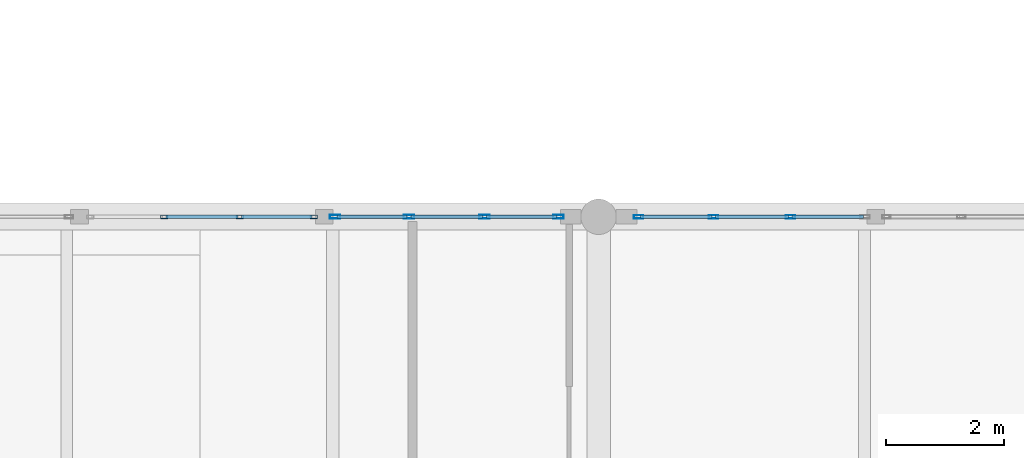
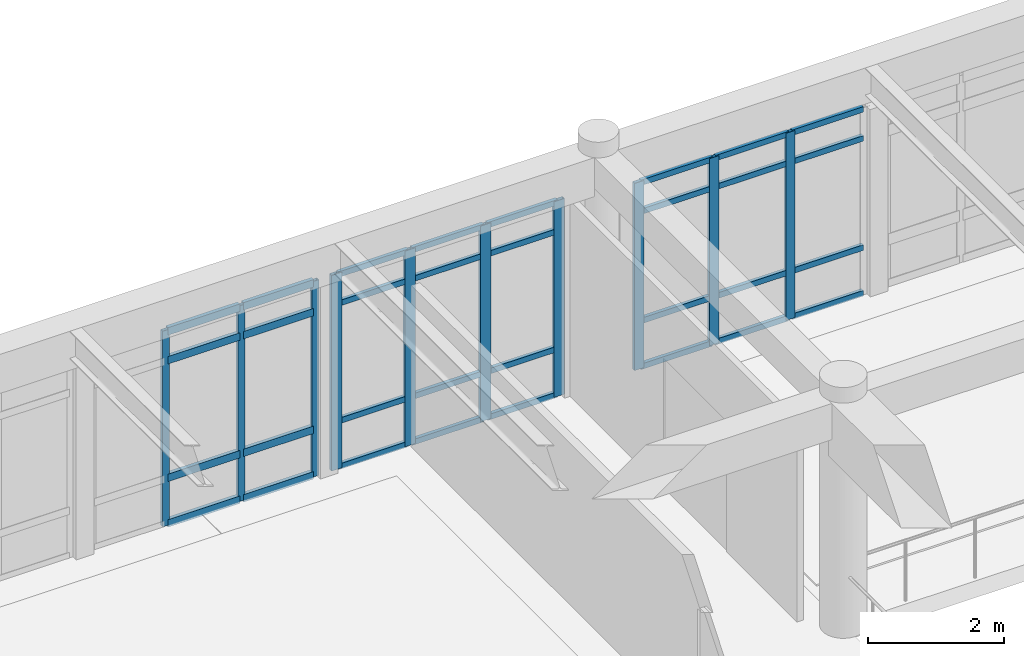
# One storey, part 18 of 109: 42 members, 3 elements without a shape of their own.
"""IFC4 building model written with IfcOpenShell, lengths in metres."""

from ifc_helpers import new_model, si_unit, direction, frame, origin, origin_2d, place, context, subcontext, project, spatial, hollow_rectangle, extrude, material, layer, layer_set, material_profile, profile_set, type_object, element, aggregate, save


model = new_model("IFC4")

# Units and contexts
model_context = context("Model", 3, precision=1e-05, world=origin(), true_north=direction((0.0, 1.0)))
body_context = subcontext(model_context, "Body", "Model", "MODEL_VIEW")
ifc_project = project(units=[si_unit("LENGTHUNIT", "METRE"), si_unit("AREAUNIT", "SQUARE_METRE"), si_unit("VOLUMEUNIT", "CUBIC_METRE"), si_unit("PLANEANGLEUNIT", "RADIAN"), si_unit("MASSUNIT", "GRAM", prefix="KILO")], contexts=[model_context])

# Site, building, storey
site_placement = place(None, origin())
site = spatial("IfcSite", under=ifc_project, at=site_placement, CompositionType="ELEMENT")
building_placement = place(site_placement, origin())
building = spatial("IfcBuilding", under=site, at=building_placement, Name="Fikremerkos Civic Library", CompositionType="ELEMENT")
storey_placement = place(building_placement, frame((0.0, 0.0, 5.39990234375)))
storey = spatial("IfcBuildingStorey", under=building, at=storey_placement, Name="L01", CompositionType="ELEMENT", Elevation=5.39990234375)

# Curtain wall, members
ifc_material = material(Name="Anodized aluminium Frame", Category="aluminium")
ifc_layer_1 = layer(ifc_material, 0.159912109375, Name="Anodized aluminium Frame")
ifc_layer_set_1 = layer_set([ifc_layer_1], Name="Anodized aluminium Frame")
curtain_wall_type_1 = type_object("IfcCurtainWallType", Name="Unitised curtain wall CW-13 3700x3200", PredefinedType="USERDEFINED", material=ifc_layer_set_1)
curtain_wall_1_placement = place(storey_placement, origin())
curtain_wall_1 = element("IfcCurtainWall", 1, at=curtain_wall_1_placement, inside=storey, type_object=curtain_wall_type_1, Name="Unitised curtain wall CW-13 L01 #85", ObjectType="UNITISED CURTAIN WALL", PredefinedType="USERDEFINED")
ifc_material_profile_1 = material_profile(ifc_material, hollow_rectangle(XDim=0.06494140625, YDim=0.179931640625, WallThickness=0.00439453125, at=origin_2d()), Name="ALU 180x65x4.5")
ifc_profile_set_1 = profile_set([ifc_material_profile_1], Name="Anodized aluminium Frame")
member_type_1 = type_object("IfcMemberType", Name="Curtain mullion CWM-01 ALU 180x65x4.5", PredefinedType="MULLION", material=ifc_profile_set_1)
member_1_placement = place(storey_placement, frame((55.241455078125, 48.0, 0.0), z_axis=(0.0, 0.0, 1.0), x_axis=(0.0, 1.0, 0.0)))
member_1 = element("IfcMember", 2, at=member_1_placement, type_object=member_type_1, Name="CW-13 mullion 1", PredefinedType="MULLION", context=body_context, shape_type="SweptSolid", body=[
    extrude(hollow_rectangle(XDim=0.06494140625, YDim=0.179931640625, WallThickness=0.00439453125, at=origin_2d()), origin(), (0.0, 0.0, 1.0), 3.510009765625),
])
member_2_placement = place(storey_placement, frame((56.489990234375, 48.0, 0.0), z_axis=(0.0, 0.0, 1.0), x_axis=(0.0, 1.0, 0.0)))
member_2 = element("IfcMember", 3, at=member_2_placement, type_object=member_type_1, Name="CW-13 mullion 2", PredefinedType="MULLION", context=body_context, shape_type="SweptSolid", body=[
    extrude(hollow_rectangle(XDim=0.06494140625, YDim=0.179931640625, WallThickness=0.00439453125, at=origin_2d()), origin(), (0.0, 0.0, 1.0), 3.510009765625),
])
member_3_placement = place(storey_placement, frame((57.77099609375, 48.0, 0.0), z_axis=(0.0, 0.0, 1.0), x_axis=(0.0, 1.0, 0.0)))
member_3 = element("IfcMember", 4, at=member_3_placement, type_object=member_type_1, Name="CW-13 mullion 3", PredefinedType="MULLION", context=body_context, shape_type="SweptSolid", body=[
    extrude(hollow_rectangle(XDim=0.06494140625, YDim=0.179931640625, WallThickness=0.00439453125, at=origin_2d()), origin(), (0.0, 0.0, 1.0), 3.510009765625),
])
member_4_placement = place(storey_placement, frame((59.01953125, 48.0, 0.0), z_axis=(0.0, 0.0, 1.0), x_axis=(0.0, 1.0, 0.0)))
member_4 = element("IfcMember", 5, at=member_4_placement, type_object=member_type_1, Name="CW-13 mullion 4", PredefinedType="MULLION", context=body_context, shape_type="SweptSolid", body=[
    extrude(hollow_rectangle(XDim=0.06494140625, YDim=0.179931640625, WallThickness=0.00439453125, at=origin_2d()), origin(), (0.0, 0.0, 1.0), 3.510009765625),
])

ifc_layer_2 = layer(ifc_material, 0.159912109375, Name="Anodized aluminium Frame")
ifc_layer_set_2 = layer_set([ifc_layer_2], Name="Anodized aluminium Frame")
curtain_wall_type_2 = type_object("IfcCurtainWallType", Name="Unitised curtain wall CW-14 4100x3200", PredefinedType="USERDEFINED", material=ifc_layer_set_2)
curtain_wall_2_placement = place(storey_placement, origin())
curtain_wall_2 = element("IfcCurtainWall", 6, at=curtain_wall_2_placement, inside=storey, type_object=curtain_wall_type_2, Name="Unitised curtain wall CW-14 L01 #86", ObjectType="UNITISED CURTAIN WALL", PredefinedType="USERDEFINED")
ifc_material_profile_2 = material_profile(ifc_material, hollow_rectangle(XDim=0.06005859375, YDim=0.159912109375, WallThickness=0.00390625, at=origin_2d()), Name="ALU 160x60x4")
ifc_profile_set_2 = profile_set([ifc_material_profile_2], Name="Anodized aluminium Frame")
member_type_2 = type_object("IfcMemberType", Name="Curtain mullion CWM-02 ALU 160x60x4", PredefinedType="MULLION", material=ifc_profile_set_2)
member_5_placement = place(storey_placement, frame((60.3779296875, 48.0, 0.0), z_axis=(0.0, 0.0, 1.0), x_axis=(0.0, 1.0, 0.0)))
member_5 = element("IfcMember", 7, at=member_5_placement, type_object=member_type_2, Name="CW-14 mullion 1", PredefinedType="MULLION", context=body_context, shape_type="SweptSolid", body=[
    extrude(hollow_rectangle(XDim=0.06005859375, YDim=0.159912109375, WallThickness=0.00390625, at=origin_2d()), origin(), (0.0, 0.0, 1.0), 3.360107421875),
])
member_6_placement = place(storey_placement, frame((61.645751953125, 48.0, 0.0), z_axis=(0.0, 0.0, 1.0), x_axis=(0.0, 1.0, 0.0)))
member_6 = element("IfcMember", 8, at=member_6_placement, type_object=member_type_2, Name="CW-14 mullion 2", PredefinedType="MULLION", context=body_context, shape_type="SweptSolid", body=[
    extrude(hollow_rectangle(XDim=0.06005859375, YDim=0.159912109375, WallThickness=0.00390625, at=origin_2d()), origin(), (0.0, 0.0, 1.0), 3.360107421875),
])
member_7_placement = place(storey_placement, frame((62.943359375, 48.0, 0.0), z_axis=(0.0, 0.0, 1.0), x_axis=(0.0, 1.0, 0.0)))
member_7 = element("IfcMember", 9, at=member_7_placement, type_object=member_type_2, Name="CW-14 mullion 3", PredefinedType="MULLION", context=body_context, shape_type="SweptSolid", body=[
    extrude(hollow_rectangle(XDim=0.06005859375, YDim=0.159912109375, WallThickness=0.00390625, at=origin_2d()), origin(), (0.0, 0.0, 1.0), 3.360107421875),
])

ifc_layer_3 = layer(ifc_material, 0.159912109375, Name="Anodized aluminium Frame")
ifc_layer_set_3 = layer_set([ifc_layer_3], Name="Anodized aluminium Frame")
curtain_wall_type_3 = type_object("IfcCurtainWallType", Name="Unitised curtain wall CW-12 4300x3400", PredefinedType="USERDEFINED", material=ifc_layer_set_3)
curtain_wall_3_placement = place(storey_placement, origin())
curtain_wall_3 = element("IfcCurtainWall", 10, at=curtain_wall_3_placement, inside=storey, type_object=curtain_wall_type_3, Name="Unitised curtain wall CW-12 L01 #84", ObjectType="UNITISED CURTAIN WALL", PredefinedType="USERDEFINED")
ifc_material_profile_3 = material_profile(ifc_material, hollow_rectangle(XDim=0.06005859375, YDim=0.1201171875, WallThickness=0.00390625, at=origin_2d()), Name="ALU 120x60x4")
ifc_profile_set_3 = profile_set([ifc_material_profile_3], Name="Anodized aluminium Frame")
member_type_3 = type_object("IfcMemberType", Name="Curtain mullion CWM-04 ALU 120x60x4", PredefinedType="MULLION", material=ifc_profile_set_3)
member_8_placement = place(storey_placement, frame((52.346923828125, 48.0, 0.0), z_axis=(0.0, 0.0, 1.0), x_axis=(0.0, 1.0, 0.0)))
member_8 = element("IfcMember", 11, at=member_8_placement, type_object=member_type_3, Name="CW-12 mullion 2", PredefinedType="MULLION", context=body_context, shape_type="SweptSolid", body=[
    extrude(hollow_rectangle(XDim=0.06005859375, YDim=0.1201171875, WallThickness=0.00390625, at=origin_2d()), origin(), (0.0, 0.0, 1.0), 3.510009765625),
])
member_9_placement = place(storey_placement, frame((53.6279296875, 48.0, 0.0), z_axis=(0.0, 0.0, 1.0), x_axis=(0.0, 1.0, 0.0)))
member_9 = element("IfcMember", 12, at=member_9_placement, type_object=member_type_3, Name="CW-12 mullion 3", PredefinedType="MULLION", context=body_context, shape_type="SweptSolid", body=[
    extrude(hollow_rectangle(XDim=0.06005859375, YDim=0.1201171875, WallThickness=0.00390625, at=origin_2d()), origin(), (0.0, 0.0, 1.0), 3.510009765625),
])
member_10_placement = place(storey_placement, frame((54.87890625, 48.0, 0.0), z_axis=(0.0, 0.0, 1.0), x_axis=(0.0, 1.0, 0.0)))
member_10 = element("IfcMember", 13, at=member_10_placement, type_object=member_type_3, Name="CW-12 mullion 4", PredefinedType="MULLION", context=body_context, shape_type="SweptSolid", body=[
    extrude(hollow_rectangle(XDim=0.06005859375, YDim=0.1201171875, WallThickness=0.00390625, at=origin_2d()), origin(), (0.0, 0.0, 1.0), 3.510009765625),
])
ifc_material_profile_4 = material_profile(ifc_material, hollow_rectangle(XDim=0.06494140625, YDim=0.135009765625, WallThickness=0.00439453125, at=origin_2d()), Name="ALU 135x65x4.5")
ifc_profile_set_4 = profile_set([ifc_material_profile_4], Name="Anodized aluminium Frame")
member_type_4 = type_object("IfcMemberType", Name="Curtain transom CWT-02 ALU 135x65x4.5", PredefinedType="USERDEFINED", material=ifc_profile_set_4)
member_11_placement = place(storey_placement, frame((52.376953125, 48.0, 0.03271484375), z_axis=(1.0, 0.0, 0.0), x_axis=(0.0, 1.0, 0.0)))
member_11 = element("IfcMember", 14, at=member_11_placement, type_object=member_type_4, Name="CW-12 transom 2.1", ObjectType="TRANSOM", PredefinedType="USERDEFINED", context=body_context, shape_type="SweptSolid", body=[
    extrude(hollow_rectangle(XDim=0.06494140625, YDim=0.135009765625, WallThickness=0.00439453125, at=origin_2d()), origin(), (0.0, 0.0, 1.0), 1.220947265625),
])
member_12_placement = place(storey_placement, frame((52.376953125, 48.0, 0.85009765625), z_axis=(1.0, 0.0, 0.0), x_axis=(0.0, 1.0, 0.0)))
member_12 = element("IfcMember", 15, at=member_12_placement, type_object=member_type_4, Name="CW-12 transom 2.2", ObjectType="TRANSOM", PredefinedType="USERDEFINED", context=body_context, shape_type="SweptSolid", body=[
    extrude(hollow_rectangle(XDim=0.06494140625, YDim=0.135009765625, WallThickness=0.00439453125, at=origin_2d()), origin(), (0.0, 0.0, 1.0), 1.220947265625),
])
member_13_placement = place(storey_placement, frame((52.376953125, 48.0, 2.960205078125), z_axis=(1.0, 0.0, 0.0), x_axis=(0.0, 1.0, 0.0)))
member_13 = element("IfcMember", 16, at=member_13_placement, type_object=member_type_4, Name="CW-12 transom 2.3", ObjectType="TRANSOM", PredefinedType="USERDEFINED", context=body_context, shape_type="SweptSolid", body=[
    extrude(hollow_rectangle(XDim=0.06494140625, YDim=0.135009765625, WallThickness=0.00439453125, at=origin_2d()), origin(), (0.0, 0.0, 1.0), 1.220947265625),
])
member_14_placement = place(storey_placement, frame((52.376953125, 48.0, 3.4775390625), z_axis=(1.0, 0.0, 0.0), x_axis=(0.0, 1.0, 0.0)))
member_14 = element("IfcMember", 17, at=member_14_placement, type_object=member_type_4, Name="CW-12 transom 2.4", ObjectType="TRANSOM", PredefinedType="USERDEFINED", context=body_context, shape_type="SweptSolid", body=[
    extrude(hollow_rectangle(XDim=0.06494140625, YDim=0.135009765625, WallThickness=0.00439453125, at=origin_2d()), origin(), (0.0, 0.0, 1.0), 1.220947265625),
])
member_15_placement = place(storey_placement, frame((53.657958984375, 48.0, 0.03271484375), z_axis=(1.0, 0.0, 0.0), x_axis=(0.0, 1.0, 0.0)))
member_15 = element("IfcMember", 18, at=member_15_placement, type_object=member_type_4, Name="CW-12 transom 3.1", ObjectType="TRANSOM", PredefinedType="USERDEFINED", context=body_context, shape_type="SweptSolid", body=[
    extrude(hollow_rectangle(XDim=0.06494140625, YDim=0.135009765625, WallThickness=0.00439453125, at=origin_2d()), origin(), (0.0, 0.0, 1.0), 1.191162109375),
])
member_16_placement = place(storey_placement, frame((53.657958984375, 48.0, 0.85009765625), z_axis=(1.0, 0.0, 0.0), x_axis=(0.0, 1.0, 0.0)))
member_16 = element("IfcMember", 19, at=member_16_placement, type_object=member_type_4, Name="CW-12 transom 3.2", ObjectType="TRANSOM", PredefinedType="USERDEFINED", context=body_context, shape_type="SweptSolid", body=[
    extrude(hollow_rectangle(XDim=0.06494140625, YDim=0.135009765625, WallThickness=0.00439453125, at=origin_2d()), origin(), (0.0, 0.0, 1.0), 1.191162109375),
])
member_17_placement = place(storey_placement, frame((53.657958984375, 48.0, 2.960205078125), z_axis=(1.0, 0.0, 0.0), x_axis=(0.0, 1.0, 0.0)))
member_17 = element("IfcMember", 20, at=member_17_placement, type_object=member_type_4, Name="CW-12 transom 3.3", ObjectType="TRANSOM", PredefinedType="USERDEFINED", context=body_context, shape_type="SweptSolid", body=[
    extrude(hollow_rectangle(XDim=0.06494140625, YDim=0.135009765625, WallThickness=0.00439453125, at=origin_2d()), origin(), (0.0, 0.0, 1.0), 1.191162109375),
])
member_18_placement = place(storey_placement, frame((53.657958984375, 48.0, 3.4775390625), z_axis=(1.0, 0.0, 0.0), x_axis=(0.0, 1.0, 0.0)))
member_18 = element("IfcMember", 21, at=member_18_placement, type_object=member_type_4, Name="CW-12 transom 3.4", ObjectType="TRANSOM", PredefinedType="USERDEFINED", context=body_context, shape_type="SweptSolid", body=[
    extrude(hollow_rectangle(XDim=0.06494140625, YDim=0.135009765625, WallThickness=0.00439453125, at=origin_2d()), origin(), (0.0, 0.0, 1.0), 1.191162109375),
])
aggregate(curtain_wall_3, [member_8, member_9, member_10, member_11, member_12, member_13, member_14, member_15, member_16, member_17, member_18])

# Member
ifc_material_profile_5 = material_profile(ifc_material, hollow_rectangle(XDim=0.06005859375, YDim=0.10009765625, WallThickness=0.00390625, at=origin_2d()), Name="ALU 100x60x4")
ifc_profile_set_5 = profile_set([ifc_material_profile_5], Name="Anodized aluminium Frame")
member_type_5 = type_object("IfcMemberType", Name="Curtain transom CWT-03 ALU 100x60x4", PredefinedType="USERDEFINED", material=ifc_profile_set_5)
member_19_placement = place(storey_placement, frame((55.27392578125, 48.0, 0.030029296875), z_axis=(1.0, 0.0, 0.0), x_axis=(0.0, 1.0, 0.0)))
member_19 = element("IfcMember", 22, at=member_19_placement, type_object=member_type_5, Name="CW-13 transom 1.1", ObjectType="TRANSOM", PredefinedType="USERDEFINED", context=body_context, shape_type="SweptSolid", body=[
    extrude(hollow_rectangle(XDim=0.06005859375, YDim=0.10009765625, WallThickness=0.00390625, at=origin_2d()), origin(), (0.0, 0.0, 1.0), 1.18359375),
])

member_20_placement = place(storey_placement, frame((55.27392578125, 48.0, 0.85009765625), z_axis=(1.0, 0.0, 0.0), x_axis=(0.0, 1.0, 0.0)))
member_20 = element("IfcMember", 23, at=member_20_placement, type_object=member_type_5, Name="CW-13 transom 1.2", ObjectType="TRANSOM", PredefinedType="USERDEFINED", context=body_context, shape_type="SweptSolid", body=[
    extrude(hollow_rectangle(XDim=0.06005859375, YDim=0.10009765625, WallThickness=0.00390625, at=origin_2d()), origin(), (0.0, 0.0, 1.0), 1.18359375),
])

member_21_placement = place(storey_placement, frame((55.27392578125, 48.0, 2.960205078125), z_axis=(1.0, 0.0, 0.0), x_axis=(0.0, 1.0, 0.0)))
member_21 = element("IfcMember", 24, at=member_21_placement, type_object=member_type_5, Name="CW-13 transom 1.3", ObjectType="TRANSOM", PredefinedType="USERDEFINED", context=body_context, shape_type="SweptSolid", body=[
    extrude(hollow_rectangle(XDim=0.06005859375, YDim=0.10009765625, WallThickness=0.00390625, at=origin_2d()), origin(), (0.0, 0.0, 1.0), 1.18359375),
])

member_22_placement = place(storey_placement, frame((55.27392578125, 48.0, 3.47998046875), z_axis=(1.0, 0.0, 0.0), x_axis=(0.0, 1.0, 0.0)))
member_22 = element("IfcMember", 25, at=member_22_placement, type_object=member_type_5, Name="CW-13 transom 1.4", ObjectType="TRANSOM", PredefinedType="USERDEFINED", context=body_context, shape_type="SweptSolid", body=[
    extrude(hollow_rectangle(XDim=0.06005859375, YDim=0.10009765625, WallThickness=0.00390625, at=origin_2d()), origin(), (0.0, 0.0, 1.0), 1.18359375),
])

member_23_placement = place(storey_placement, frame((56.5224609375, 48.0, 0.030029296875), z_axis=(1.0, 0.0, 0.0), x_axis=(0.0, 1.0, 0.0)))
member_23 = element("IfcMember", 26, at=member_23_placement, type_object=member_type_5, Name="CW-13 transom 2.1", ObjectType="TRANSOM", PredefinedType="USERDEFINED", context=body_context, shape_type="SweptSolid", body=[
    extrude(hollow_rectangle(XDim=0.06005859375, YDim=0.10009765625, WallThickness=0.00390625, at=origin_2d()), origin(), (0.0, 0.0, 1.0), 1.216064453125),
])

member_24_placement = place(storey_placement, frame((56.5224609375, 48.0, 0.85009765625), z_axis=(1.0, 0.0, 0.0), x_axis=(0.0, 1.0, 0.0)))
member_24 = element("IfcMember", 27, at=member_24_placement, type_object=member_type_5, Name="CW-13 transom 2.2", ObjectType="TRANSOM", PredefinedType="USERDEFINED", context=body_context, shape_type="SweptSolid", body=[
    extrude(hollow_rectangle(XDim=0.06005859375, YDim=0.10009765625, WallThickness=0.00390625, at=origin_2d()), origin(), (0.0, 0.0, 1.0), 1.216064453125),
])

member_25_placement = place(storey_placement, frame((56.5224609375, 48.0, 2.960205078125), z_axis=(1.0, 0.0, 0.0), x_axis=(0.0, 1.0, 0.0)))
member_25 = element("IfcMember", 28, at=member_25_placement, type_object=member_type_5, Name="CW-13 transom 2.3", ObjectType="TRANSOM", PredefinedType="USERDEFINED", context=body_context, shape_type="SweptSolid", body=[
    extrude(hollow_rectangle(XDim=0.06005859375, YDim=0.10009765625, WallThickness=0.00390625, at=origin_2d()), origin(), (0.0, 0.0, 1.0), 1.216064453125),
])

member_26_placement = place(storey_placement, frame((56.5224609375, 48.0, 3.47998046875), z_axis=(1.0, 0.0, 0.0), x_axis=(0.0, 1.0, 0.0)))
member_26 = element("IfcMember", 29, at=member_26_placement, type_object=member_type_5, Name="CW-13 transom 2.4", ObjectType="TRANSOM", PredefinedType="USERDEFINED", context=body_context, shape_type="SweptSolid", body=[
    extrude(hollow_rectangle(XDim=0.06005859375, YDim=0.10009765625, WallThickness=0.00390625, at=origin_2d()), origin(), (0.0, 0.0, 1.0), 1.216064453125),
])

member_27_placement = place(storey_placement, frame((57.803466796875, 48.0, 0.030029296875), z_axis=(1.0, 0.0, 0.0), x_axis=(0.0, 1.0, 0.0)))
member_27 = element("IfcMember", 30, at=member_27_placement, type_object=member_type_5, Name="CW-13 transom 3.1", ObjectType="TRANSOM", PredefinedType="USERDEFINED", context=body_context, shape_type="SweptSolid", body=[
    extrude(hollow_rectangle(XDim=0.06005859375, YDim=0.10009765625, WallThickness=0.00390625, at=origin_2d()), origin(), (0.0, 0.0, 1.0), 1.18359375),
])

member_28_placement = place(storey_placement, frame((57.803466796875, 48.0, 0.85009765625), z_axis=(1.0, 0.0, 0.0), x_axis=(0.0, 1.0, 0.0)))
member_28 = element("IfcMember", 31, at=member_28_placement, type_object=member_type_5, Name="CW-13 transom 3.2", ObjectType="TRANSOM", PredefinedType="USERDEFINED", context=body_context, shape_type="SweptSolid", body=[
    extrude(hollow_rectangle(XDim=0.06005859375, YDim=0.10009765625, WallThickness=0.00390625, at=origin_2d()), origin(), (0.0, 0.0, 1.0), 1.18359375),
])

member_29_placement = place(storey_placement, frame((57.803466796875, 48.0, 2.960205078125), z_axis=(1.0, 0.0, 0.0), x_axis=(0.0, 1.0, 0.0)))
member_29 = element("IfcMember", 32, at=member_29_placement, type_object=member_type_5, Name="CW-13 transom 3.3", ObjectType="TRANSOM", PredefinedType="USERDEFINED", context=body_context, shape_type="SweptSolid", body=[
    extrude(hollow_rectangle(XDim=0.06005859375, YDim=0.10009765625, WallThickness=0.00390625, at=origin_2d()), origin(), (0.0, 0.0, 1.0), 1.18359375),
])

member_30_placement = place(storey_placement, frame((57.803466796875, 48.0, 3.47998046875), z_axis=(1.0, 0.0, 0.0), x_axis=(0.0, 1.0, 0.0)))
member_30 = element("IfcMember", 33, at=member_30_placement, type_object=member_type_5, Name="CW-13 transom 3.4", ObjectType="TRANSOM", PredefinedType="USERDEFINED", context=body_context, shape_type="SweptSolid", body=[
    extrude(hollow_rectangle(XDim=0.06005859375, YDim=0.10009765625, WallThickness=0.00390625, at=origin_2d()), origin(), (0.0, 0.0, 1.0), 1.18359375),
])

aggregate(curtain_wall_1, [member_1, member_2, member_3, member_4, member_19, member_20, member_21, member_22, member_23, member_24, member_25, member_26, member_27, member_28, member_29, member_30])

member_31_placement = place(storey_placement, frame((60.407958984375, 48.0, 0.030029296875), z_axis=(1.0, 0.0, 0.0), x_axis=(0.0, 1.0, 0.0)))
member_31 = element("IfcMember", 34, at=member_31_placement, type_object=member_type_5, Name="CW-14 transom 1.1", ObjectType="TRANSOM", PredefinedType="USERDEFINED", context=body_context, shape_type="SweptSolid", body=[
    extrude(hollow_rectangle(XDim=0.06005859375, YDim=0.10009765625, WallThickness=0.00390625, at=origin_2d()), origin(), (0.0, 0.0, 1.0), 1.207763671875),
])

member_32_placement = place(storey_placement, frame((60.407958984375, 48.0, 0.85009765625), z_axis=(1.0, 0.0, 0.0), x_axis=(0.0, 1.0, 0.0)))
member_32 = element("IfcMember", 35, at=member_32_placement, type_object=member_type_5, Name="CW-14 transom 1.2", ObjectType="TRANSOM", PredefinedType="USERDEFINED", context=body_context, shape_type="SweptSolid", body=[
    extrude(hollow_rectangle(XDim=0.06005859375, YDim=0.10009765625, WallThickness=0.00390625, at=origin_2d()), origin(), (0.0, 0.0, 1.0), 1.207763671875),
])

member_33_placement = place(storey_placement, frame((60.407958984375, 48.0, 2.81005859375), z_axis=(1.0, 0.0, 0.0), x_axis=(0.0, 1.0, 0.0)))
member_33 = element("IfcMember", 36, at=member_33_placement, type_object=member_type_5, Name="CW-14 transom 1.3", ObjectType="TRANSOM", PredefinedType="USERDEFINED", context=body_context, shape_type="SweptSolid", body=[
    extrude(hollow_rectangle(XDim=0.06005859375, YDim=0.10009765625, WallThickness=0.00390625, at=origin_2d()), origin(), (0.0, 0.0, 1.0), 1.207763671875),
])

member_34_placement = place(storey_placement, frame((60.407958984375, 48.0, 3.330078125), z_axis=(1.0, 0.0, 0.0), x_axis=(0.0, 1.0, 0.0)))
member_34 = element("IfcMember", 37, at=member_34_placement, type_object=member_type_5, Name="CW-14 transom 1.4", ObjectType="TRANSOM", PredefinedType="USERDEFINED", context=body_context, shape_type="SweptSolid", body=[
    extrude(hollow_rectangle(XDim=0.06005859375, YDim=0.10009765625, WallThickness=0.00390625, at=origin_2d()), origin(), (0.0, 0.0, 1.0), 1.207763671875),
])

member_35_placement = place(storey_placement, frame((61.67578125, 48.0, 0.030029296875), z_axis=(1.0, 0.0, 0.0), x_axis=(0.0, 1.0, 0.0)))
member_35 = element("IfcMember", 38, at=member_35_placement, type_object=member_type_5, Name="CW-14 transom 2.1", ObjectType="TRANSOM", PredefinedType="USERDEFINED", context=body_context, shape_type="SweptSolid", body=[
    extrude(hollow_rectangle(XDim=0.06005859375, YDim=0.10009765625, WallThickness=0.00390625, at=origin_2d()), origin(), (0.0, 0.0, 1.0), 1.237548828125),
])

member_36_placement = place(storey_placement, frame((61.67578125, 48.0, 0.85009765625), z_axis=(1.0, 0.0, 0.0), x_axis=(0.0, 1.0, 0.0)))
member_36 = element("IfcMember", 39, at=member_36_placement, type_object=member_type_5, Name="CW-14 transom 2.2", ObjectType="TRANSOM", PredefinedType="USERDEFINED", context=body_context, shape_type="SweptSolid", body=[
    extrude(hollow_rectangle(XDim=0.06005859375, YDim=0.10009765625, WallThickness=0.00390625, at=origin_2d()), origin(), (0.0, 0.0, 1.0), 1.237548828125),
])

member_37_placement = place(storey_placement, frame((61.67578125, 48.0, 2.81005859375), z_axis=(1.0, 0.0, 0.0), x_axis=(0.0, 1.0, 0.0)))
member_37 = element("IfcMember", 40, at=member_37_placement, type_object=member_type_5, Name="CW-14 transom 2.3", ObjectType="TRANSOM", PredefinedType="USERDEFINED", context=body_context, shape_type="SweptSolid", body=[
    extrude(hollow_rectangle(XDim=0.06005859375, YDim=0.10009765625, WallThickness=0.00390625, at=origin_2d()), origin(), (0.0, 0.0, 1.0), 1.237548828125),
])

member_38_placement = place(storey_placement, frame((61.67578125, 48.0, 3.330078125), z_axis=(1.0, 0.0, 0.0), x_axis=(0.0, 1.0, 0.0)))
member_38 = element("IfcMember", 41, at=member_38_placement, type_object=member_type_5, Name="CW-14 transom 2.4", ObjectType="TRANSOM", PredefinedType="USERDEFINED", context=body_context, shape_type="SweptSolid", body=[
    extrude(hollow_rectangle(XDim=0.06005859375, YDim=0.10009765625, WallThickness=0.00390625, at=origin_2d()), origin(), (0.0, 0.0, 1.0), 1.237548828125),
])

member_39_placement = place(storey_placement, frame((62.973388671875, 48.0, 0.030029296875), z_axis=(1.0, 0.0, 0.0), x_axis=(0.0, 1.0, 0.0)))
member_39 = element("IfcMember", 42, at=member_39_placement, type_object=member_type_5, Name="CW-14 transom 3.1", ObjectType="TRANSOM", PredefinedType="USERDEFINED", context=body_context, shape_type="SweptSolid", body=[
    extrude(hollow_rectangle(XDim=0.06005859375, YDim=0.10009765625, WallThickness=0.00390625, at=origin_2d()), origin(), (0.0, 0.0, 1.0), 1.20751953125),
])

member_40_placement = place(storey_placement, frame((62.973388671875, 48.0, 0.85009765625), z_axis=(1.0, 0.0, 0.0), x_axis=(0.0, 1.0, 0.0)))
member_40 = element("IfcMember", 43, at=member_40_placement, type_object=member_type_5, Name="CW-14 transom 3.2", ObjectType="TRANSOM", PredefinedType="USERDEFINED", context=body_context, shape_type="SweptSolid", body=[
    extrude(hollow_rectangle(XDim=0.06005859375, YDim=0.10009765625, WallThickness=0.00390625, at=origin_2d()), origin(), (0.0, 0.0, 1.0), 1.20751953125),
])

member_41_placement = place(storey_placement, frame((62.973388671875, 48.0, 2.81005859375), z_axis=(1.0, 0.0, 0.0), x_axis=(0.0, 1.0, 0.0)))
member_41 = element("IfcMember", 44, at=member_41_placement, type_object=member_type_5, Name="CW-14 transom 3.3", ObjectType="TRANSOM", PredefinedType="USERDEFINED", context=body_context, shape_type="SweptSolid", body=[
    extrude(hollow_rectangle(XDim=0.06005859375, YDim=0.10009765625, WallThickness=0.00390625, at=origin_2d()), origin(), (0.0, 0.0, 1.0), 1.20751953125),
])

member_42_placement = place(storey_placement, frame((62.973388671875, 48.0, 3.330078125), z_axis=(1.0, 0.0, 0.0), x_axis=(0.0, 1.0, 0.0)))
member_42 = element("IfcMember", 45, at=member_42_placement, type_object=member_type_5, Name="CW-14 transom 3.4", ObjectType="TRANSOM", PredefinedType="USERDEFINED", context=body_context, shape_type="SweptSolid", body=[
    extrude(hollow_rectangle(XDim=0.06005859375, YDim=0.10009765625, WallThickness=0.00390625, at=origin_2d()), origin(), (0.0, 0.0, 1.0), 1.20751953125),
])

aggregate(curtain_wall_2, [member_5, member_6, member_7, member_31, member_32, member_33, member_34, member_35, member_36, member_37, member_38, member_39, member_40, member_41, member_42])

save(model, "model.ifc")
